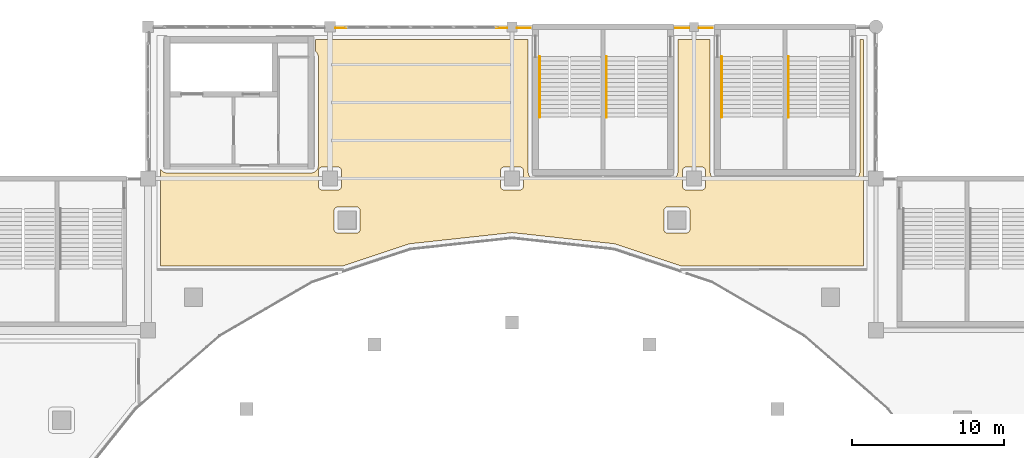
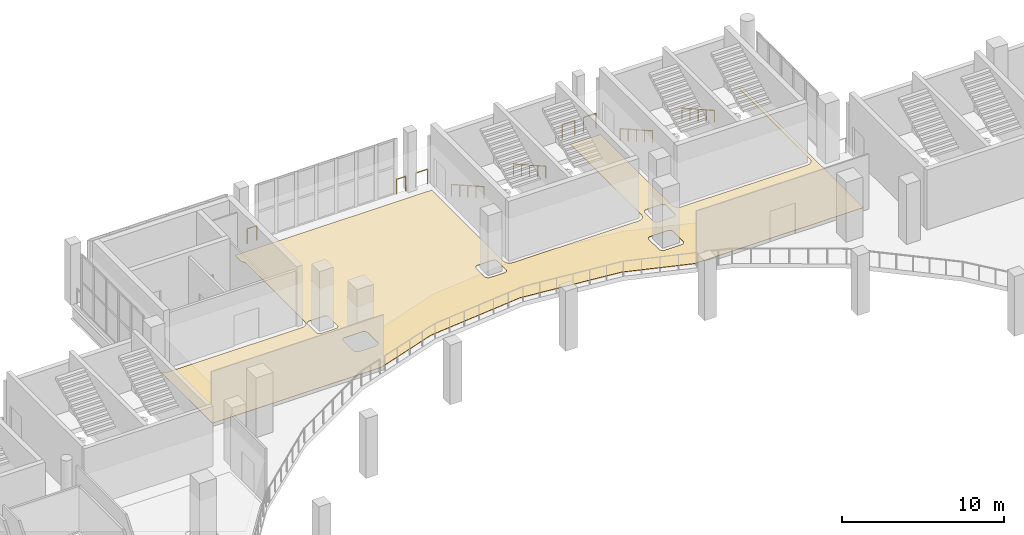
# One storey, part 104 of 108: 9 railings, 1 covering.
"""IFC4 building model written with IfcOpenShell, lengths in metres."""

from ifc_helpers import new_model, si_unit, direction, frame, origin, origin_2d, place, context, subcontext, project, spatial, polyline, circle, outline, extrude, material, layer, layer_set, type_object, element, save


model = new_model("IFC4")

# Units and contexts
model_context = context("Model", 3, precision=1e-05, world=origin(), true_north=direction((0.0, 1.0)))
body_context = subcontext(model_context, "Body", "Model", "MODEL_VIEW")
ifc_project = project(units=[si_unit("LENGTHUNIT", "METRE"), si_unit("AREAUNIT", "SQUARE_METRE"), si_unit("VOLUMEUNIT", "CUBIC_METRE"), si_unit("PLANEANGLEUNIT", "RADIAN"), si_unit("MASSUNIT", "GRAM", prefix="KILO")], contexts=[model_context])

# Site, building, storey
site_placement = place(None, origin())
site = spatial("IfcSite", under=ifc_project, at=site_placement, CompositionType="ELEMENT")
building_placement = place(site_placement, origin())
building = spatial("IfcBuilding", under=site, at=building_placement, Name="Brinegate Civic Arena", CompositionType="ELEMENT")
storey_placement = place(building_placement, frame((0.0, 0.0, 10.199951171875)))
storey = spatial("IfcBuildingStorey", under=building, at=storey_placement, Name="L02", CompositionType="ELEMENT", Elevation=10.199951171875)

# Covering
ifc_material_1 = material(Name="Polished coral terrazzo flooring")
ifc_layer = layer(ifc_material_1, 0.028076171875, Name="Polished coral terrazzo flooring")
ifc_layer_set = layer_set([ifc_layer], Name="Polished coral terrazzo flooring")
covering_type = type_object("IfcCoveringType", Name="FLOORING-TERRAZZO-28", PredefinedType="FLOORING", material=ifc_layer_set)
covering_placement = place(storey_placement, origin())
element("IfcCovering", 1, at=covering_placement, inside=storey, type_object=covering_type, Name="Flooring L02-003", PredefinedType="FLOORING", context=body_context, shape_type="SweptSolid", body=[
    extrude(outline(polyline([(84.830078125, 108.22998046875), (84.830078125, 114.6201171875), (84.837890625, 114.60400390625), (84.85107421875, 114.583984375), (84.864990234375, 114.56396484375), (84.89306640625, 114.529052734375), (84.909912109375, 114.510009765625), (84.928955078125, 114.492919921875), (84.964111328125, 114.465087890625), (84.98388671875, 114.450927734375), (85.00390625, 114.43798828125), (85.0439453125, 114.4169921875), (85.06689453125, 114.406005859375), (85.090087890625, 114.39794921875), (85.134033203125, 114.385009765625), (85.156005859375, 114.37890625), (85.179931640625, 114.3759765625), (85.22607421875, 114.37109375), (85.2509765625, 114.3701171875), (89.59912109375, 114.3701171875), (89.6240234375, 114.37109375), (89.64990234375, 114.3740234375), (89.676025390625, 114.37109375), (89.700927734375, 114.3701171875), (92.4990234375, 114.3701171875), (92.52392578125, 114.37109375), (92.550048828125, 114.3740234375), (92.575927734375, 114.37109375), (92.60107421875, 114.3701171875), (94.75, 114.3701171875), (94.760009765625, 114.3701171875), (94.782958984375, 114.37109375), (94.802978515625, 114.373046875), (94.823974609375, 114.3759765625), (94.867919921875, 114.385009765625), (94.89111328125, 114.39208984375), (94.9140625, 114.39990234375), (94.9560546875, 114.4169921875), (94.97607421875, 114.427001953125), (94.99609375, 114.43896484375), (95.033935546875, 114.464111328125), (95.053955078125, 114.47900390625), (95.072998046875, 114.49609375), (95.10400390625, 114.527099609375), (95.12109375, 114.5458984375), (95.135986328125, 114.56591796875), (95.160888671875, 114.60498046875), (95.176025390625, 114.6298828125), (95.18603515625, 114.64990234375), (95.195068359375, 114.6689453125), (95.201904296875, 114.68994140625), (95.215087890625, 114.73388671875), (95.220947265625, 114.756103515625), (95.22412109375, 114.780029296875), (95.22900390625, 114.825927734375), (95.22998046875, 114.85107421875), (95.22998046875, 122.0), (95.22998046875, 122.010009765625), (95.22900390625, 122.032958984375), (95.22705078125, 122.052978515625), (95.22412109375, 122.073974609375), (95.215087890625, 122.117919921875), (95.2080078125, 122.14111328125), (95.199951171875, 122.1640625), (95.181884765625, 122.2060546875), (95.1689453125, 122.23291015625), (95.157958984375, 122.251953125), (95.14111328125, 122.278076171875), (95.1279296875, 122.2958984375), (95.10498046875, 122.322998046875), (95.072998046875, 122.35400390625), (95.053955078125, 122.37109375), (95.050048828125, 122.3740234375), (95.050048828125, 123.169921875), (109.070068359375, 123.169921875), (109.070068359375, 114.40087890625), (109.071044921875, 114.3759765625), (109.075927734375, 114.330078125), (109.0791015625, 114.305908203125), (109.0849609375, 114.283935546875), (109.097900390625, 114.239990234375), (109.10595703125, 114.217041015625), (109.116943359375, 114.194091796875), (109.137939453125, 114.154052734375), (109.15087890625, 114.134033203125), (109.1650390625, 114.114013671875), (109.193115234375, 114.0791015625), (109.2099609375, 114.06005859375), (109.22900390625, 114.04296875), (109.263916015625, 114.014892578125), (109.283935546875, 114.0009765625), (109.303955078125, 113.988037109375), (109.343994140625, 113.967041015625), (109.366943359375, 113.9560546875), (109.389892578125, 113.947998046875), (109.43408203125, 113.93505859375), (109.4560546875, 113.928955078125), (109.47998046875, 113.926025390625), (109.52587890625, 113.9208984375), (109.551025390625, 113.919921875), (113.85498046875, 113.919921875), (113.864990234375, 113.919921875), (113.887939453125, 113.9208984375), (113.907958984375, 113.923095703125), (113.928955078125, 113.926025390625), (113.972900390625, 113.93505859375), (113.99609375, 113.94189453125), (114.0, 113.943115234375), (114.00390625, 113.94189453125), (114.027099609375, 113.93505859375), (114.071044921875, 113.926025390625), (114.092041015625, 113.923095703125), (114.112060546875, 113.9208984375), (114.135009765625, 113.919921875), (114.14501953125, 113.919921875), (118.448974609375, 113.919921875), (118.47412109375, 113.9208984375), (118.52001953125, 113.926025390625), (118.5439453125, 113.928955078125), (118.56591796875, 113.93505859375), (118.610107421875, 113.947998046875), (118.633056640625, 113.9560546875), (118.656005859375, 113.967041015625), (118.696044921875, 113.988037109375), (118.716064453125, 114.0009765625), (118.736083984375, 114.014892578125), (118.77099609375, 114.04296875), (118.7900390625, 114.06005859375), (118.806884765625, 114.0791015625), (118.8349609375, 114.114013671875), (118.84912109375, 114.134033203125), (118.862060546875, 114.154052734375), (118.883056640625, 114.194091796875), (118.89404296875, 114.217041015625), (118.902099609375, 114.239990234375), (118.9150390625, 114.283935546875), (118.9208984375, 114.305908203125), (118.924072265625, 114.330078125), (118.928955078125, 114.3759765625), (118.929931640625, 114.40087890625), (118.929931640625, 123.169921875), (121.070068359375, 123.169921875), (121.070068359375, 114.39990234375), (121.070068359375, 114.389892578125), (121.071044921875, 114.366943359375), (121.072998046875, 114.346923828125), (121.075927734375, 114.325927734375), (121.0849609375, 114.281982421875), (121.092041015625, 114.259033203125), (121.10009765625, 114.236083984375), (121.116943359375, 114.194091796875), (121.126953125, 114.174072265625), (121.138916015625, 114.154052734375), (121.1640625, 114.115966796875), (121.178955078125, 114.095947265625), (121.196044921875, 114.076904296875), (121.22705078125, 114.0458984375), (121.24609375, 114.029052734375), (121.26611328125, 114.013916015625), (121.304931640625, 113.989013671875), (121.330078125, 113.97412109375), (121.35009765625, 113.964111328125), (121.368896484375, 113.955078125), (121.389892578125, 113.947998046875), (121.43408203125, 113.93505859375), (121.4560546875, 113.928955078125), (121.47998046875, 113.926025390625), (121.52587890625, 113.9208984375), (121.551025390625, 113.919921875), (125.85498046875, 113.919921875), (125.864990234375, 113.919921875), (125.887939453125, 113.9208984375), (125.907958984375, 113.923095703125), (125.928955078125, 113.926025390625), (125.972900390625, 113.93505859375), (125.99609375, 113.94189453125), (126.0, 113.943115234375), (126.00390625, 113.94189453125), (126.027099609375, 113.93505859375), (126.071044921875, 113.926025390625), (126.092041015625, 113.923095703125), (126.112060546875, 113.9208984375), (126.135009765625, 113.919921875), (126.14501953125, 113.919921875), (130.448974609375, 113.919921875), (130.47412109375, 113.9208984375), (130.52001953125, 113.926025390625), (130.5439453125, 113.928955078125), (130.56591796875, 113.93505859375), (130.610107421875, 113.947998046875), (130.631103515625, 113.955078125), (130.64990234375, 113.964111328125), (130.669921875, 113.97412109375), (130.695068359375, 113.989013671875), (130.73388671875, 114.013916015625), (130.75390625, 114.029052734375), (130.77294921875, 114.0458984375), (130.804931640625, 114.076904296875), (130.827880859375, 114.10400390625), (130.841064453125, 114.1220703125), (130.85791015625, 114.14794921875), (130.868896484375, 114.1669921875), (130.882080078125, 114.194091796875), (130.89990234375, 114.236083984375), (130.906982421875, 114.25390625), (130.9130859375, 114.27294921875), (130.91796875, 114.2939453125), (130.924072265625, 114.3291015625), (130.928955078125, 114.3759765625), (130.929931640625, 114.40087890625), (130.929931640625, 123.169921875), (131.169921875, 123.169921875), (131.169921875, 108.22998046875), (119.157958984375, 108.22998046875), (114.802978515625, 109.68310546875), (114.777099609375, 109.69091796875), (114.7509765625, 109.695068359375), (108.027099609375, 110.427978515625), (108.0, 110.429931640625), (107.972900390625, 110.427978515625), (101.2490234375, 109.695068359375), (101.222900390625, 109.69091796875), (101.197021484375, 109.68310546875), (96.843017578125, 108.22998046875), (84.830078125, 108.22998046875)]), holes=[polyline([(119.489990234375, 114.760009765625), (119.465087890625, 114.759033203125), (119.44091796875, 114.7548828125), (119.4169921875, 114.7490234375), (119.39404296875, 114.740966796875), (119.3720703125, 114.72998046875), (119.35107421875, 114.718017578125), (119.3310546875, 114.702880859375), (119.31298828125, 114.68701171875), (119.297119140625, 114.6689453125), (119.281982421875, 114.64892578125), (119.27001953125, 114.6279296875), (119.259033203125, 114.60595703125), (119.2509765625, 114.5830078125), (119.2451171875, 114.55908203125), (119.240966796875, 114.534912109375), (119.239990234375, 114.510009765625), (119.239990234375, 113.489990234375), (119.240966796875, 113.465087890625), (119.2451171875, 113.44091796875), (119.2509765625, 113.4169921875), (119.259033203125, 113.39404296875), (119.27001953125, 113.3720703125), (119.281982421875, 113.35107421875), (119.297119140625, 113.3310546875), (119.31298828125, 113.31298828125), (119.3310546875, 113.297119140625), (119.35107421875, 113.281982421875), (119.3720703125, 113.27001953125), (119.39404296875, 113.259033203125), (119.4169921875, 113.2509765625), (119.44091796875, 113.2451171875), (119.465087890625, 113.240966796875), (119.489990234375, 113.239990234375), (120.510009765625, 113.239990234375), (120.534912109375, 113.240966796875), (120.55908203125, 113.2451171875), (120.5830078125, 113.2509765625), (120.60595703125, 113.259033203125), (120.6279296875, 113.27001953125), (120.64892578125, 113.281982421875), (120.6689453125, 113.297119140625), (120.68701171875, 113.31298828125), (120.702880859375, 113.3310546875), (120.718017578125, 113.35107421875), (120.72998046875, 113.3720703125), (120.740966796875, 113.39404296875), (120.7490234375, 113.4169921875), (120.7548828125, 113.44091796875), (120.759033203125, 113.465087890625), (120.760009765625, 113.489990234375), (120.760009765625, 114.510009765625), (120.759033203125, 114.534912109375), (120.7548828125, 114.55908203125), (120.7490234375, 114.5830078125), (120.740966796875, 114.60595703125), (120.72998046875, 114.6279296875), (120.718017578125, 114.64892578125), (120.702880859375, 114.6689453125), (120.68701171875, 114.68701171875), (120.6689453125, 114.702880859375), (120.64892578125, 114.718017578125), (120.6279296875, 114.72998046875), (120.60595703125, 114.740966796875), (120.5830078125, 114.7490234375), (120.55908203125, 114.7548828125), (120.534912109375, 114.759033203125), (120.510009765625, 114.760009765625), (119.489990234375, 114.760009765625)]), polyline([(119.72998046875, 111.8720703125), (119.72900390625, 111.89697265625), (119.72509765625, 111.9208984375), (119.718994140625, 111.945068359375), (119.7109375, 111.968017578125), (119.699951171875, 111.989990234375), (119.68798828125, 112.010986328125), (119.673095703125, 112.031005859375), (119.656982421875, 112.049072265625), (119.638916015625, 112.06494140625), (119.618896484375, 112.080078125), (119.597900390625, 112.092041015625), (119.575927734375, 112.10302734375), (119.552978515625, 112.111083984375), (119.529052734375, 112.116943359375), (119.5048828125, 112.12109375), (119.47998046875, 112.1220703125), (118.260009765625, 112.1220703125), (118.235107421875, 112.12109375), (118.2109375, 112.116943359375), (118.18701171875, 112.111083984375), (118.1640625, 112.10302734375), (118.14208984375, 112.092041015625), (118.12109375, 112.080078125), (118.10107421875, 112.06494140625), (118.0830078125, 112.049072265625), (118.06689453125, 112.031005859375), (118.052001953125, 112.010986328125), (118.0400390625, 111.989990234375), (118.029052734375, 111.968017578125), (118.02099609375, 111.945068359375), (118.014892578125, 111.9208984375), (118.010986328125, 111.89697265625), (118.010009765625, 111.8720703125), (118.010009765625, 110.652099609375), (118.010986328125, 110.626953125), (118.014892578125, 110.60302734375), (118.02099609375, 110.5791015625), (118.029052734375, 110.555908203125), (118.0400390625, 110.533935546875), (118.052001953125, 110.512939453125), (118.06689453125, 110.492919921875), (118.0830078125, 110.47509765625), (118.10107421875, 110.458984375), (118.12109375, 110.444091796875), (118.14208984375, 110.431884765625), (118.1640625, 110.4208984375), (118.18701171875, 110.4130859375), (118.2109375, 110.406982421875), (118.235107421875, 110.403076171875), (118.260009765625, 110.402099609375), (119.47998046875, 110.402099609375), (119.5048828125, 110.403076171875), (119.529052734375, 110.406982421875), (119.552978515625, 110.4130859375), (119.575927734375, 110.4208984375), (119.597900390625, 110.431884765625), (119.618896484375, 110.444091796875), (119.638916015625, 110.458984375), (119.656982421875, 110.47509765625), (119.673095703125, 110.492919921875), (119.68798828125, 110.512939453125), (119.699951171875, 110.533935546875), (119.7109375, 110.555908203125), (119.718994140625, 110.5791015625), (119.72509765625, 110.60302734375), (119.72900390625, 110.626953125), (119.72998046875, 110.652099609375), (119.72998046875, 111.8720703125)]), polyline([(107.489990234375, 114.760009765625), (107.465087890625, 114.759033203125), (107.44091796875, 114.7548828125), (107.4169921875, 114.7490234375), (107.39404296875, 114.740966796875), (107.3720703125, 114.72998046875), (107.35107421875, 114.718017578125), (107.3310546875, 114.702880859375), (107.31298828125, 114.68701171875), (107.297119140625, 114.6689453125), (107.281982421875, 114.64892578125), (107.27001953125, 114.6279296875), (107.259033203125, 114.60595703125), (107.2509765625, 114.5830078125), (107.2451171875, 114.55908203125), (107.240966796875, 114.534912109375), (107.239990234375, 114.510009765625), (107.239990234375, 113.489990234375), (107.240966796875, 113.465087890625), (107.2451171875, 113.44091796875), (107.2509765625, 113.4169921875), (107.259033203125, 113.39404296875), (107.27001953125, 113.3720703125), (107.281982421875, 113.35107421875), (107.297119140625, 113.3310546875), (107.31298828125, 113.31298828125), (107.3310546875, 113.297119140625), (107.35107421875, 113.281982421875), (107.3720703125, 113.27001953125), (107.39404296875, 113.259033203125), (107.4169921875, 113.2509765625), (107.44091796875, 113.2451171875), (107.465087890625, 113.240966796875), (107.489990234375, 113.239990234375), (108.510009765625, 113.239990234375), (108.534912109375, 113.240966796875), (108.55908203125, 113.2451171875), (108.5830078125, 113.2509765625), (108.60595703125, 113.259033203125), (108.6279296875, 113.27001953125), (108.64892578125, 113.281982421875), (108.6689453125, 113.297119140625), (108.68701171875, 113.31298828125), (108.702880859375, 113.3310546875), (108.718017578125, 113.35107421875), (108.72998046875, 113.3720703125), (108.740966796875, 113.39404296875), (108.7490234375, 113.4169921875), (108.7548828125, 113.44091796875), (108.759033203125, 113.465087890625), (108.760009765625, 113.489990234375), (108.760009765625, 114.510009765625), (108.759033203125, 114.534912109375), (108.7548828125, 114.55908203125), (108.7490234375, 114.5830078125), (108.740966796875, 114.60595703125), (108.72998046875, 114.6279296875), (108.718017578125, 114.64892578125), (108.702880859375, 114.6689453125), (108.68701171875, 114.68701171875), (108.6689453125, 114.702880859375), (108.64892578125, 114.718017578125), (108.6279296875, 114.72998046875), (108.60595703125, 114.740966796875), (108.5830078125, 114.7490234375), (108.55908203125, 114.7548828125), (108.534912109375, 114.759033203125), (108.510009765625, 114.760009765625), (107.489990234375, 114.760009765625)]), polyline([(96.52001953125, 112.1220703125), (96.4951171875, 112.12109375), (96.470947265625, 112.116943359375), (96.447021484375, 112.111083984375), (96.424072265625, 112.10302734375), (96.402099609375, 112.092041015625), (96.381103515625, 112.080078125), (96.361083984375, 112.06494140625), (96.343017578125, 112.049072265625), (96.326904296875, 112.031005859375), (96.31201171875, 112.010986328125), (96.300048828125, 111.989990234375), (96.2890625, 111.968017578125), (96.281005859375, 111.945068359375), (96.27490234375, 111.9208984375), (96.27099609375, 111.89697265625), (96.27001953125, 111.8720703125), (96.27001953125, 110.652099609375), (96.27099609375, 110.626953125), (96.27490234375, 110.60302734375), (96.281005859375, 110.5791015625), (96.2890625, 110.555908203125), (96.300048828125, 110.533935546875), (96.31201171875, 110.512939453125), (96.326904296875, 110.492919921875), (96.343017578125, 110.47509765625), (96.361083984375, 110.458984375), (96.381103515625, 110.444091796875), (96.402099609375, 110.431884765625), (96.424072265625, 110.4208984375), (96.447021484375, 110.4130859375), (96.470947265625, 110.406982421875), (96.4951171875, 110.403076171875), (96.52001953125, 110.402099609375), (97.739990234375, 110.402099609375), (97.764892578125, 110.403076171875), (97.7890625, 110.406982421875), (97.81298828125, 110.4130859375), (97.8359375, 110.4208984375), (97.85791015625, 110.431884765625), (97.87890625, 110.444091796875), (97.89892578125, 110.458984375), (97.9169921875, 110.47509765625), (97.93310546875, 110.492919921875), (97.947998046875, 110.512939453125), (97.9599609375, 110.533935546875), (97.970947265625, 110.555908203125), (97.97900390625, 110.5791015625), (97.985107421875, 110.60302734375), (97.989013671875, 110.626953125), (97.989990234375, 110.652099609375), (97.989990234375, 111.8720703125), (97.989013671875, 111.89697265625), (97.985107421875, 111.9208984375), (97.97900390625, 111.945068359375), (97.970947265625, 111.968017578125), (97.9599609375, 111.989990234375), (97.947998046875, 112.010986328125), (97.93310546875, 112.031005859375), (97.9169921875, 112.049072265625), (97.89892578125, 112.06494140625), (97.87890625, 112.080078125), (97.85791015625, 112.092041015625), (97.8359375, 112.10302734375), (97.81298828125, 112.111083984375), (97.7890625, 112.116943359375), (97.764892578125, 112.12109375), (97.739990234375, 112.1220703125), (96.52001953125, 112.1220703125)]), polyline([(96.760009765625, 114.510009765625), (96.759033203125, 114.534912109375), (96.7548828125, 114.55908203125), (96.7490234375, 114.5830078125), (96.740966796875, 114.60595703125), (96.72998046875, 114.6279296875), (96.718017578125, 114.64892578125), (96.702880859375, 114.6689453125), (96.68701171875, 114.68701171875), (96.6689453125, 114.702880859375), (96.64892578125, 114.718017578125), (96.6279296875, 114.72998046875), (96.60595703125, 114.740966796875), (96.5830078125, 114.7490234375), (96.55908203125, 114.7548828125), (96.534912109375, 114.759033203125), (96.510009765625, 114.760009765625), (95.489990234375, 114.760009765625), (95.465087890625, 114.759033203125), (95.44091796875, 114.7548828125), (95.4169921875, 114.7490234375), (95.39404296875, 114.740966796875), (95.3720703125, 114.72998046875), (95.35107421875, 114.718017578125), (95.3310546875, 114.702880859375), (95.31298828125, 114.68701171875), (95.297119140625, 114.6689453125), (95.281982421875, 114.64892578125), (95.27001953125, 114.6279296875), (95.259033203125, 114.60595703125), (95.2509765625, 114.5830078125), (95.2451171875, 114.55908203125), (95.240966796875, 114.534912109375), (95.239990234375, 114.510009765625), (95.239990234375, 113.489990234375), (95.240966796875, 113.465087890625), (95.2451171875, 113.44091796875), (95.2509765625, 113.4169921875), (95.259033203125, 113.39404296875), (95.27001953125, 113.3720703125), (95.281982421875, 113.35107421875), (95.297119140625, 113.3310546875), (95.31298828125, 113.31298828125), (95.3310546875, 113.297119140625), (95.35107421875, 113.281982421875), (95.3720703125, 113.27001953125), (95.39404296875, 113.259033203125), (95.4169921875, 113.2509765625), (95.44091796875, 113.2451171875), (95.465087890625, 113.240966796875), (95.489990234375, 113.239990234375), (96.510009765625, 113.239990234375), (96.534912109375, 113.240966796875), (96.55908203125, 113.2451171875), (96.5830078125, 113.2509765625), (96.60595703125, 113.259033203125), (96.6279296875, 113.27001953125), (96.64892578125, 113.281982421875), (96.6689453125, 113.297119140625), (96.68701171875, 113.31298828125), (96.702880859375, 113.3310546875), (96.718017578125, 113.35107421875), (96.72998046875, 113.3720703125), (96.740966796875, 113.39404296875), (96.7490234375, 113.4169921875), (96.7548828125, 113.44091796875), (96.759033203125, 113.465087890625), (96.760009765625, 113.489990234375), (96.760009765625, 114.510009765625)])]), origin(), (0.0, 0.0, 1.0), 0.028076171875),
])

# Railings
ifc_material_2 = material(Name="Architectural stainless steel balustrade", Category="steel")
railing_type_1 = type_object("IfcRailingType", Name="RAIL-STAIR-HANDRAIL-900", PredefinedType="HANDRAIL", material=ifc_material_2)
for number, where, name in (
    (2, (121.824951171875, 118.0400390625, 2.25), "Stair Pitch Handrail ST-03A L02"),
    (3, (126.22509765625, 118.0400390625, 2.25), "Stair Pitch Handrail ST-03B L02"),
    (4, (109.824951171875, 118.0400390625, 2.25), "Stair Pitch Handrail ST-15A L02"),
    (5, (114.22509765625, 118.0400390625, 2.25), "Stair Pitch Handrail ST-15B L02"),
):
    element("IfcRailing", number, at=place(storey_placement, frame(where)), inside=storey, type_object=railing_type_1, Name=name, PredefinedType="HANDRAIL", context=body_context, shape_type="SweptSolid", body=[
        extrude(circle(Radius=0.02392578125, at=origin_2d()), frame((0.0, 0.001220703125, 0.875), z_axis=(0.0, 0.871049806155, -0.491194701923), x_axis=(-1.0, 0.0, 0.0)), (0.0, 0.0, 1.0), 4.57763671875),
        extrude(circle(Radius=0.02099609375, at=origin_2d()), origin(), (0.0, 0.0, 1.0), 0.849853515625),
        extrude(circle(Radius=0.02099609375, at=origin_2d()), frame((0.0, 0.99755859375, -0.5625)), (0.0, 0.0, 1.0), 0.849853515625),
        extrude(circle(Radius=0.02099609375, at=origin_2d()), frame((0.0, 1.9951171875, -1.125)), (0.0, 0.0, 1.0), 0.849853515625),
        extrude(circle(Radius=0.02099609375, at=origin_2d()), frame((0.0, 2.992431640625, -1.6875)), (0.0, 0.0, 1.0), 0.849853515625),
        extrude(circle(Radius=0.02099609375, at=origin_2d()), frame((0.0, 3.989990234375, -2.25)), (0.0, 0.0, 1.0), 0.849853515625),
    ])
railing_type_2 = type_object("IfcRailingType", Name="RAIL-VOID-BALUSTRADE-1120", PredefinedType="BALUSTRADE", material=ifc_material_2)
railing_1_placement = place(storey_placement, frame((96.3701171875, 123.929931640625, 0.0)))
element("IfcRailing", 6, at=railing_1_placement, inside=storey, type_object=railing_type_2, Name="Deck Edge Balustrade L02-145", PredefinedType="BALUSTRADE", context=body_context, shape_type="SweptSolid", body=[
    extrude(circle(Radius=0.02392578125, at=origin_2d()), frame((0.00146484375, 0.0, 1.09619140625), z_axis=(1.0, 0.0, 0.0), x_axis=(0.0, 1.0, 0.0)), (0.0, 0.0, 1.0), 0.671875),
    extrude(circle(Radius=0.02099609375, at=origin_2d()), origin(), (0.0, 0.0, 1.0), 1.070068359375),
    extrude(circle(Radius=0.02099609375, at=origin_2d()), frame((0.6748046875, 0.0, 0.0)), (0.0, 0.0, 1.0), 1.070068359375),
])
railing_2_placement = place(storey_placement, frame((106.989990234375, 123.929931640625, 0.0)))
element("IfcRailing", 7, at=railing_2_placement, inside=storey, type_object=railing_type_2, Name="Deck Edge Balustrade L02-146", PredefinedType="BALUSTRADE", context=body_context, shape_type="SweptSolid", body=[
    extrude(circle(Radius=0.02392578125, at=origin_2d()), frame((0.00146484375, 0.0, 1.09619140625), z_axis=(1.0, 0.0, 0.0), x_axis=(0.0, 1.0, 0.0)), (0.0, 0.0, 1.0), 0.662109375),
    extrude(circle(Radius=0.02099609375, at=origin_2d()), origin(), (0.0, 0.0, 1.0), 1.070068359375),
    extrude(circle(Radius=0.02099609375, at=origin_2d()), frame((0.6650390625, 0.0, 0.0)), (0.0, 0.0, 1.0), 1.070068359375),
])
railing_3_placement = place(storey_placement, frame((108.344970703125, 123.929931640625, 0.0)))
element("IfcRailing", 8, at=railing_3_placement, inside=storey, type_object=railing_type_2, Name="Deck Edge Balustrade L02-147", PredefinedType="BALUSTRADE", context=body_context, shape_type="SweptSolid", body=[
    extrude(circle(Radius=0.02392578125, at=origin_2d()), frame((0.00146484375, 0.0, 1.09619140625), z_axis=(1.0, 0.0, 0.0), x_axis=(0.0, 1.0, 0.0)), (0.0, 0.0, 1.0), 0.85205078125),
    extrude(circle(Radius=0.02099609375, at=origin_2d()), origin(), (0.0, 0.0, 1.0), 1.070068359375),
    extrude(circle(Radius=0.02099609375, at=origin_2d()), frame((0.85498046875, 0.0, 0.0)), (0.0, 0.0, 1.0), 1.070068359375),
])
for number, where, name in (
    (9, (118.800048828125, 123.929931640625, 0.0), "Deck Edge Balustrade L02-148"),
    (10, (120.320068359375, 123.929931640625, 0.0), "Deck Edge Balustrade L02-149"),
):
    element("IfcRailing", number, at=place(storey_placement, frame(where)), inside=storey, type_object=railing_type_2, Name=name, PredefinedType="BALUSTRADE", context=body_context, shape_type="SweptSolid", body=[
        extrude(circle(Radius=0.02392578125, at=origin_2d()), frame((0.00146484375, 0.0, 1.09619140625), z_axis=(1.0, 0.0, 0.0), x_axis=(0.0, 1.0, 0.0)), (0.0, 0.0, 1.0), 0.876953125),
        extrude(circle(Radius=0.02099609375, at=origin_2d()), origin(), (0.0, 0.0, 1.0), 1.070068359375),
        extrude(circle(Radius=0.02099609375, at=origin_2d()), frame((0.8798828125, 0.0, 0.0)), (0.0, 0.0, 1.0), 1.070068359375),
    ])

save(model, "model.ifc")
